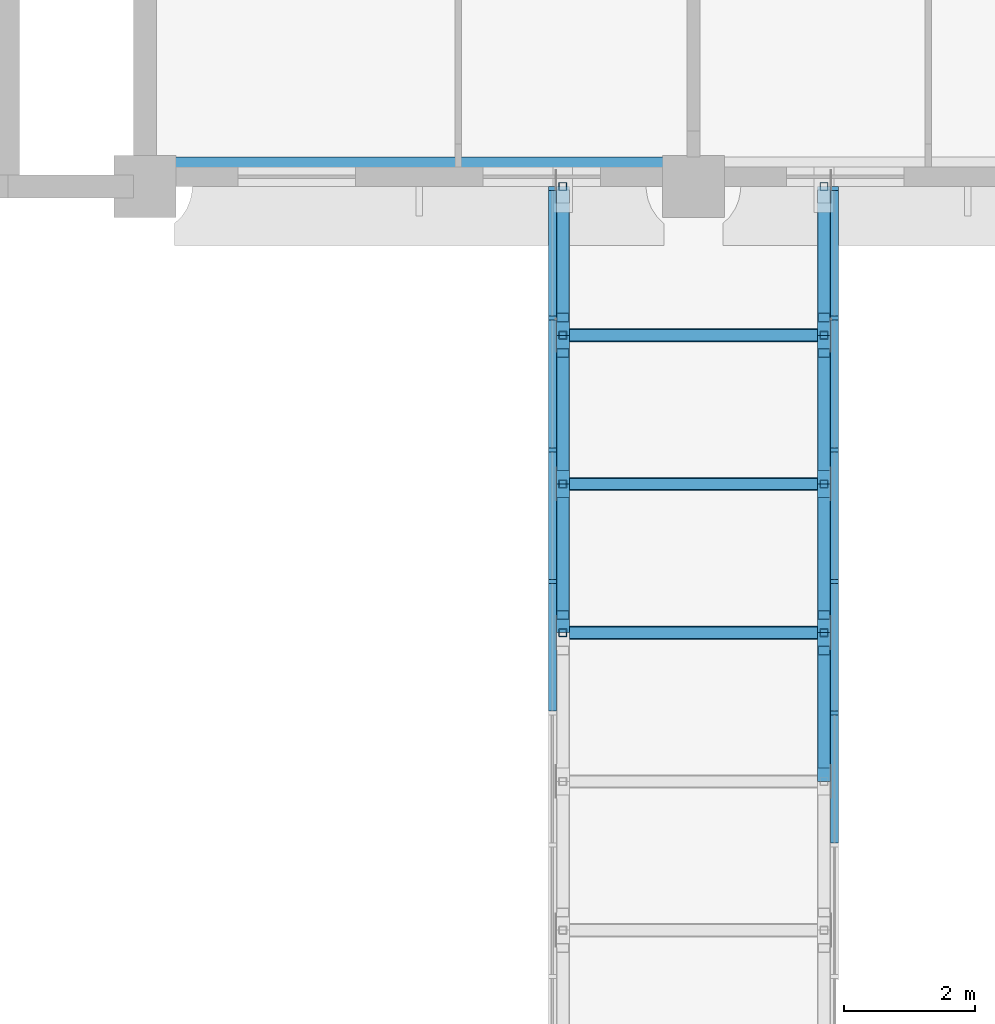
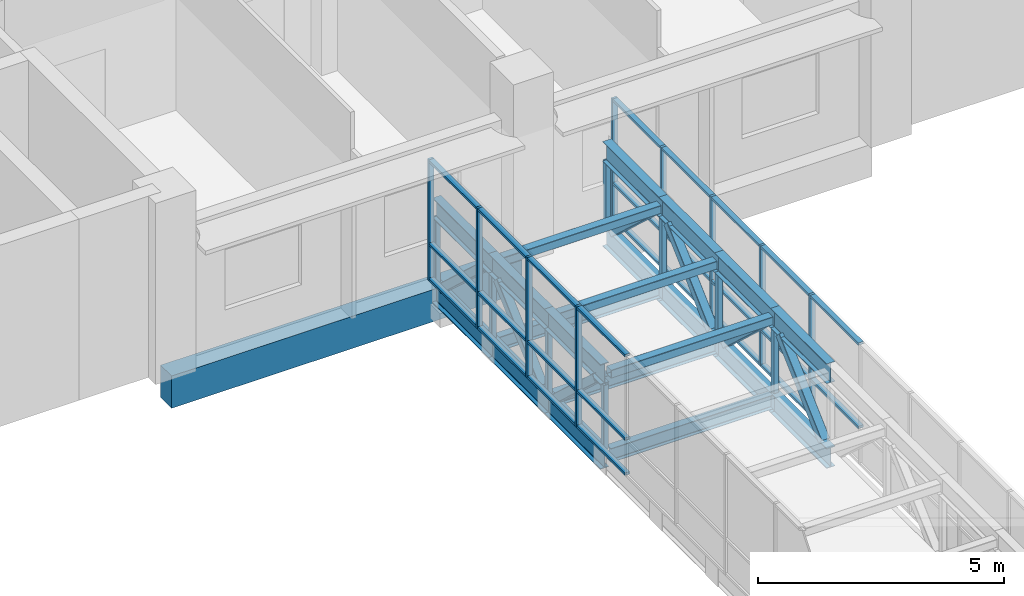
# One storey, part 26 of 136: 70 members, 1 beam, 2 elements without a shape of their own.
"""IFC4 building model written with IfcOpenShell, lengths in metres."""

from ifc_helpers import new_model, si_unit, direction, frame, origin, origin_2d, place, context, subcontext, project, spatial, rectangle, hollow_rectangle, i_section, extrude, material, material_profile, profile_set, type_object, element, aggregate, save


model = new_model("IFC4")

# Units and contexts
model_context = context("Model", 3, precision=1e-05, world=origin(), true_north=direction((0.0, 1.0)))
body_context = subcontext(model_context, "Body", "Model", "MODEL_VIEW")
ifc_project = project(units=[si_unit("LENGTHUNIT", "METRE"), si_unit("AREAUNIT", "SQUARE_METRE"), si_unit("VOLUMEUNIT", "CUBIC_METRE"), si_unit("PLANEANGLEUNIT", "RADIAN"), si_unit("MASSUNIT", "GRAM", prefix="KILO")], contexts=[model_context])

# Site, building, storey
site_placement = place(None, origin())
site = spatial("IfcSite", under=ifc_project, at=site_placement, CompositionType="ELEMENT")
building_placement = place(site_placement, origin())
building = spatial("IfcBuilding", under=site, at=building_placement, Name="Bougainvillea Quay General Hospital", CompositionType="ELEMENT")
storey_placement = place(building_placement, frame((0.0, 0.0, 5.39990234375)))
storey = spatial("IfcBuildingStorey", under=building, at=storey_placement, Name="L01", CompositionType="ELEMENT", Elevation=5.39990234375)

# Curtain wall, members
ifc_material_1 = material(Name="Aluminium curtain wall system, powder-coated glazed", Category="aluminium")
curtain_wall_type = type_object("IfcCurtainWallType", Name="Unitised curtain wall CW-2100", PredefinedType="NOTDEFINED", material=ifc_material_1)
curtain_wall_1_placement = place(storey_placement, origin())
curtain_wall_1 = element("IfcCurtainWall", 1, at=curtain_wall_1_placement, inside=storey, type_object=curtain_wall_type, Name="BG-L L", PredefinedType="NOTDEFINED")
ifc_material_2 = material(Name="Aluminium mullion, powder-coated charcoal", Category="aluminium")
ifc_material_profile_1 = material_profile(ifc_material_2, rectangle(XDim=0.1201171875, YDim=0.06005859375, at=origin_2d()))
ifc_profile_set_1 = profile_set([ifc_material_profile_1], Name="Aluminium mullion, powder-coated charcoal")
member_type_1 = type_object("IfcMemberType", Name="Curtain wall mullion 120x60", PredefinedType="MULLION", material=ifc_profile_set_1)
member_1_placement = place(storey_placement, frame((107.0400390625, 111.551025390625, 0.0), z_axis=(0.0, 0.0, 1.0), x_axis=(-1.0, 0.0, 0.0)))
member_1 = element("IfcMember", 2, at=member_1_placement, type_object=member_type_1, Name="BG-L mullion 9", PredefinedType="MULLION", context=body_context, shape_type="SweptSolid", body=[
    extrude(rectangle(XDim=0.1201171875, YDim=0.06005859375, at=origin_2d()), origin(), (0.0, 0.0, 1.0), 3.0),
])
member_2_placement = place(storey_placement, frame((107.0400390625, 113.5673828125, 0.0), z_axis=(0.0, 0.0, 1.0), x_axis=(-1.0, 0.0, 0.0)))
member_2 = element("IfcMember", 3, at=member_2_placement, type_object=member_type_1, Name="BG-L mullion 10", PredefinedType="MULLION", context=body_context, shape_type="SweptSolid", body=[
    extrude(rectangle(XDim=0.1201171875, YDim=0.06005859375, at=origin_2d()), origin(), (0.0, 0.0, 1.0), 3.0),
])
member_3_placement = place(storey_placement, frame((107.0400390625, 115.583740234375, 0.0), z_axis=(0.0, 0.0, 1.0), x_axis=(-1.0, 0.0, 0.0)))
member_3 = element("IfcMember", 4, at=member_3_placement, type_object=member_type_1, Name="BG-L mullion 11", PredefinedType="MULLION", context=body_context, shape_type="SweptSolid", body=[
    extrude(rectangle(XDim=0.1201171875, YDim=0.06005859375, at=origin_2d()), origin(), (0.0, 0.0, 1.0), 3.0),
])
member_4_placement = place(storey_placement, frame((107.0400390625, 117.570068359375, 0.0), z_axis=(0.0, 0.0, 1.0), x_axis=(-1.0, 0.0, 0.0)))
member_4 = element("IfcMember", 5, at=member_4_placement, type_object=member_type_1, Name="BG-L mullion 12", PredefinedType="MULLION", context=body_context, shape_type="SweptSolid", body=[
    extrude(rectangle(XDim=0.1201171875, YDim=0.06005859375, at=origin_2d()), origin(), (0.0, 0.0, 1.0), 3.0),
])

curtain_wall_2_placement = place(storey_placement, origin())
curtain_wall_2 = element("IfcCurtainWall", 6, at=curtain_wall_2_placement, inside=storey, type_object=curtain_wall_type, Name="BG-R R", PredefinedType="NOTDEFINED")
member_5_placement = place(storey_placement, frame((111.360107421875, 117.570068359375, 0.0), z_axis=(0.0, 0.0, 1.0), x_axis=(1.0, 0.0, 0.0)))
member_5 = element("IfcMember", 7, at=member_5_placement, type_object=member_type_1, Name="BG-R mullion 1", PredefinedType="MULLION", context=body_context, shape_type="SweptSolid", body=[
    extrude(rectangle(XDim=0.1201171875, YDim=0.06005859375, at=origin_2d()), origin(), (0.0, 0.0, 1.0), 3.0),
])
member_6_placement = place(storey_placement, frame((111.360107421875, 115.583740234375, 0.0), z_axis=(0.0, 0.0, 1.0), x_axis=(1.0, 0.0, 0.0)))
member_6 = element("IfcMember", 8, at=member_6_placement, type_object=member_type_1, Name="BG-R mullion 2", PredefinedType="MULLION", context=body_context, shape_type="SweptSolid", body=[
    extrude(rectangle(XDim=0.1201171875, YDim=0.06005859375, at=origin_2d()), origin(), (0.0, 0.0, 1.0), 3.0),
])
member_7_placement = place(storey_placement, frame((111.360107421875, 113.5673828125, 0.0), z_axis=(0.0, 0.0, 1.0), x_axis=(1.0, 0.0, 0.0)))
member_7 = element("IfcMember", 9, at=member_7_placement, type_object=member_type_1, Name="BG-R mullion 3", PredefinedType="MULLION", context=body_context, shape_type="SweptSolid", body=[
    extrude(rectangle(XDim=0.1201171875, YDim=0.06005859375, at=origin_2d()), origin(), (0.0, 0.0, 1.0), 3.0),
])
member_8_placement = place(storey_placement, frame((111.360107421875, 111.551025390625, 0.0), z_axis=(0.0, 0.0, 1.0), x_axis=(1.0, 0.0, 0.0)))
member_8 = element("IfcMember", 10, at=member_8_placement, type_object=member_type_1, Name="BG-R mullion 4", PredefinedType="MULLION", context=body_context, shape_type="SweptSolid", body=[
    extrude(rectangle(XDim=0.1201171875, YDim=0.06005859375, at=origin_2d()), origin(), (0.0, 0.0, 1.0), 3.0),
])
member_9_placement = place(storey_placement, frame((111.360107421875, 109.534423828125, 0.0), z_axis=(0.0, 0.0, 1.0), x_axis=(1.0, 0.0, 0.0)))
member_9 = element("IfcMember", 11, at=member_9_placement, type_object=member_type_1, Name="BG-R mullion 5", PredefinedType="MULLION", context=body_context, shape_type="SweptSolid", body=[
    extrude(rectangle(XDim=0.1201171875, YDim=0.06005859375, at=origin_2d()), origin(), (0.0, 0.0, 1.0), 3.0),
])

# Member
ifc_material_3 = material(Name="Aluminium transom, powder-coated charcoal", Category="aluminium")
ifc_material_profile_2 = material_profile(ifc_material_3, rectangle(XDim=0.1201171875, YDim=0.06005859375, at=origin_2d()))
ifc_profile_set_2 = profile_set([ifc_material_profile_2], Name="Aluminium transom, powder-coated charcoal")
member_type_2 = type_object("IfcMemberType", Name="Curtain wall transom 120x60", PredefinedType="USERDEFINED", material=ifc_profile_set_2)
member_10_placement = place(storey_placement, frame((107.0400390625, 109.564453125, 0.030029296875), z_axis=(0.0, 1.0, 0.0), x_axis=(-1.0, 0.0, 0.0)))
member_10 = element("IfcMember", 12, at=member_10_placement, type_object=member_type_2, Name="BG-L transom 8.1", ObjectType="TRANSOM", PredefinedType="USERDEFINED", context=body_context, shape_type="SweptSolid", body=[
    extrude(rectangle(XDim=0.1201171875, YDim=0.06005859375, at=origin_2d()), origin(), (0.0, 0.0, 1.0), 1.95654296875),
])

member_11_placement = place(storey_placement, frame((107.0400390625, 109.564453125, 0.900146484375), z_axis=(0.0, 1.0, 0.0), x_axis=(-1.0, 0.0, 0.0)))
member_11 = element("IfcMember", 13, at=member_11_placement, type_object=member_type_2, Name="BG-L transom 8.2", ObjectType="TRANSOM", PredefinedType="USERDEFINED", context=body_context, shape_type="SweptSolid", body=[
    extrude(rectangle(XDim=0.1201171875, YDim=0.06005859375, at=origin_2d()), origin(), (0.0, 0.0, 1.0), 1.95654296875),
])

member_12_placement = place(storey_placement, frame((107.0400390625, 109.564453125, 2.97021484375), z_axis=(0.0, 1.0, 0.0), x_axis=(-1.0, 0.0, 0.0)))
member_12 = element("IfcMember", 14, at=member_12_placement, type_object=member_type_2, Name="BG-L transom 8.3", ObjectType="TRANSOM", PredefinedType="USERDEFINED", context=body_context, shape_type="SweptSolid", body=[
    extrude(rectangle(XDim=0.1201171875, YDim=0.06005859375, at=origin_2d()), origin(), (0.0, 0.0, 1.0), 1.95654296875),
])

member_13_placement = place(storey_placement, frame((107.0400390625, 111.580810546875, 0.030029296875), z_axis=(0.0, 1.0, 0.0), x_axis=(-1.0, 0.0, 0.0)))
member_13 = element("IfcMember", 15, at=member_13_placement, type_object=member_type_2, Name="BG-L transom 9.1", ObjectType="TRANSOM", PredefinedType="USERDEFINED", context=body_context, shape_type="SweptSolid", body=[
    extrude(rectangle(XDim=0.1201171875, YDim=0.06005859375, at=origin_2d()), origin(), (0.0, 0.0, 1.0), 1.95654296875),
])

member_14_placement = place(storey_placement, frame((107.0400390625, 111.580810546875, 0.900146484375), z_axis=(0.0, 1.0, 0.0), x_axis=(-1.0, 0.0, 0.0)))
member_14 = element("IfcMember", 16, at=member_14_placement, type_object=member_type_2, Name="BG-L transom 9.2", ObjectType="TRANSOM", PredefinedType="USERDEFINED", context=body_context, shape_type="SweptSolid", body=[
    extrude(rectangle(XDim=0.1201171875, YDim=0.06005859375, at=origin_2d()), origin(), (0.0, 0.0, 1.0), 1.95654296875),
])

member_15_placement = place(storey_placement, frame((107.0400390625, 111.580810546875, 2.97021484375), z_axis=(0.0, 1.0, 0.0), x_axis=(-1.0, 0.0, 0.0)))
member_15 = element("IfcMember", 17, at=member_15_placement, type_object=member_type_2, Name="BG-L transom 9.3", ObjectType="TRANSOM", PredefinedType="USERDEFINED", context=body_context, shape_type="SweptSolid", body=[
    extrude(rectangle(XDim=0.1201171875, YDim=0.06005859375, at=origin_2d()), origin(), (0.0, 0.0, 1.0), 1.95654296875),
])

member_16_placement = place(storey_placement, frame((107.0400390625, 113.59716796875, 0.030029296875), z_axis=(0.0, 1.0, 0.0), x_axis=(-1.0, 0.0, 0.0)))
member_16 = element("IfcMember", 18, at=member_16_placement, type_object=member_type_2, Name="BG-L transom 10.1", ObjectType="TRANSOM", PredefinedType="USERDEFINED", context=body_context, shape_type="SweptSolid", body=[
    extrude(rectangle(XDim=0.1201171875, YDim=0.06005859375, at=origin_2d()), origin(), (0.0, 0.0, 1.0), 1.95654296875),
])

member_17_placement = place(storey_placement, frame((107.0400390625, 113.59716796875, 0.900146484375), z_axis=(0.0, 1.0, 0.0), x_axis=(-1.0, 0.0, 0.0)))
member_17 = element("IfcMember", 19, at=member_17_placement, type_object=member_type_2, Name="BG-L transom 10.2", ObjectType="TRANSOM", PredefinedType="USERDEFINED", context=body_context, shape_type="SweptSolid", body=[
    extrude(rectangle(XDim=0.1201171875, YDim=0.06005859375, at=origin_2d()), origin(), (0.0, 0.0, 1.0), 1.95654296875),
])

member_18_placement = place(storey_placement, frame((107.0400390625, 113.59716796875, 2.97021484375), z_axis=(0.0, 1.0, 0.0), x_axis=(-1.0, 0.0, 0.0)))
member_18 = element("IfcMember", 20, at=member_18_placement, type_object=member_type_2, Name="BG-L transom 10.3", ObjectType="TRANSOM", PredefinedType="USERDEFINED", context=body_context, shape_type="SweptSolid", body=[
    extrude(rectangle(XDim=0.1201171875, YDim=0.06005859375, at=origin_2d()), origin(), (0.0, 0.0, 1.0), 1.95654296875),
])

member_19_placement = place(storey_placement, frame((107.0400390625, 115.613525390625, 0.030029296875), z_axis=(0.0, 1.0, 0.0), x_axis=(-1.0, 0.0, 0.0)))
member_19 = element("IfcMember", 21, at=member_19_placement, type_object=member_type_2, Name="BG-L transom 11.1", ObjectType="TRANSOM", PredefinedType="USERDEFINED", context=body_context, shape_type="SweptSolid", body=[
    extrude(rectangle(XDim=0.1201171875, YDim=0.06005859375, at=origin_2d()), origin(), (0.0, 0.0, 1.0), 1.926513671875),
])

member_20_placement = place(storey_placement, frame((107.0400390625, 115.613525390625, 0.900146484375), z_axis=(0.0, 1.0, 0.0), x_axis=(-1.0, 0.0, 0.0)))
member_20 = element("IfcMember", 22, at=member_20_placement, type_object=member_type_2, Name="BG-L transom 11.2", ObjectType="TRANSOM", PredefinedType="USERDEFINED", context=body_context, shape_type="SweptSolid", body=[
    extrude(rectangle(XDim=0.1201171875, YDim=0.06005859375, at=origin_2d()), origin(), (0.0, 0.0, 1.0), 1.926513671875),
])

member_21_placement = place(storey_placement, frame((107.0400390625, 115.613525390625, 2.97021484375), z_axis=(0.0, 1.0, 0.0), x_axis=(-1.0, 0.0, 0.0)))
member_21 = element("IfcMember", 23, at=member_21_placement, type_object=member_type_2, Name="BG-L transom 11.3", ObjectType="TRANSOM", PredefinedType="USERDEFINED", context=body_context, shape_type="SweptSolid", body=[
    extrude(rectangle(XDim=0.1201171875, YDim=0.06005859375, at=origin_2d()), origin(), (0.0, 0.0, 1.0), 1.926513671875),
])

aggregate(curtain_wall_1, [member_1, member_2, member_3, member_4, member_10, member_11, member_12, member_13, member_14, member_15, member_16, member_17, member_18, member_19, member_20, member_21])

member_22_placement = place(storey_placement, frame((111.360107421875, 117.5400390625, 0.030029296875), z_axis=(0.0, -1.0, 0.0), x_axis=(1.0, 0.0, 0.0)))
member_22 = element("IfcMember", 24, at=member_22_placement, type_object=member_type_2, Name="BG-R transom 1.1", ObjectType="TRANSOM", PredefinedType="USERDEFINED", context=body_context, shape_type="SweptSolid", body=[
    extrude(rectangle(XDim=0.1201171875, YDim=0.06005859375, at=origin_2d()), origin(), (0.0, 0.0, 1.0), 1.926513671875),
])

member_23_placement = place(storey_placement, frame((111.360107421875, 117.5400390625, 0.900146484375), z_axis=(0.0, -1.0, 0.0), x_axis=(1.0, 0.0, 0.0)))
member_23 = element("IfcMember", 25, at=member_23_placement, type_object=member_type_2, Name="BG-R transom 1.2", ObjectType="TRANSOM", PredefinedType="USERDEFINED", context=body_context, shape_type="SweptSolid", body=[
    extrude(rectangle(XDim=0.1201171875, YDim=0.06005859375, at=origin_2d()), origin(), (0.0, 0.0, 1.0), 1.926513671875),
])

member_24_placement = place(storey_placement, frame((111.360107421875, 117.5400390625, 2.97021484375), z_axis=(0.0, -1.0, 0.0), x_axis=(1.0, 0.0, 0.0)))
member_24 = element("IfcMember", 26, at=member_24_placement, type_object=member_type_2, Name="BG-R transom 1.3", ObjectType="TRANSOM", PredefinedType="USERDEFINED", context=body_context, shape_type="SweptSolid", body=[
    extrude(rectangle(XDim=0.1201171875, YDim=0.06005859375, at=origin_2d()), origin(), (0.0, 0.0, 1.0), 1.926513671875),
])

member_25_placement = place(storey_placement, frame((111.360107421875, 115.5537109375, 0.030029296875), z_axis=(0.0, -1.0, 0.0), x_axis=(1.0, 0.0, 0.0)))
member_25 = element("IfcMember", 27, at=member_25_placement, type_object=member_type_2, Name="BG-R transom 2.1", ObjectType="TRANSOM", PredefinedType="USERDEFINED", context=body_context, shape_type="SweptSolid", body=[
    extrude(rectangle(XDim=0.1201171875, YDim=0.06005859375, at=origin_2d()), origin(), (0.0, 0.0, 1.0), 1.95654296875),
])

member_26_placement = place(storey_placement, frame((111.360107421875, 115.5537109375, 0.900146484375), z_axis=(0.0, -1.0, 0.0), x_axis=(1.0, 0.0, 0.0)))
member_26 = element("IfcMember", 28, at=member_26_placement, type_object=member_type_2, Name="BG-R transom 2.2", ObjectType="TRANSOM", PredefinedType="USERDEFINED", context=body_context, shape_type="SweptSolid", body=[
    extrude(rectangle(XDim=0.1201171875, YDim=0.06005859375, at=origin_2d()), origin(), (0.0, 0.0, 1.0), 1.95654296875),
])

member_27_placement = place(storey_placement, frame((111.360107421875, 115.5537109375, 2.97021484375), z_axis=(0.0, -1.0, 0.0), x_axis=(1.0, 0.0, 0.0)))
member_27 = element("IfcMember", 29, at=member_27_placement, type_object=member_type_2, Name="BG-R transom 2.3", ObjectType="TRANSOM", PredefinedType="USERDEFINED", context=body_context, shape_type="SweptSolid", body=[
    extrude(rectangle(XDim=0.1201171875, YDim=0.06005859375, at=origin_2d()), origin(), (0.0, 0.0, 1.0), 1.95654296875),
])

member_28_placement = place(storey_placement, frame((111.360107421875, 113.537353515625, 0.030029296875), z_axis=(0.0, -1.0, 0.0), x_axis=(1.0, 0.0, 0.0)))
member_28 = element("IfcMember", 30, at=member_28_placement, type_object=member_type_2, Name="BG-R transom 3.1", ObjectType="TRANSOM", PredefinedType="USERDEFINED", context=body_context, shape_type="SweptSolid", body=[
    extrude(rectangle(XDim=0.1201171875, YDim=0.06005859375, at=origin_2d()), origin(), (0.0, 0.0, 1.0), 1.95654296875),
])

member_29_placement = place(storey_placement, frame((111.360107421875, 113.537353515625, 0.900146484375), z_axis=(0.0, -1.0, 0.0), x_axis=(1.0, 0.0, 0.0)))
member_29 = element("IfcMember", 31, at=member_29_placement, type_object=member_type_2, Name="BG-R transom 3.2", ObjectType="TRANSOM", PredefinedType="USERDEFINED", context=body_context, shape_type="SweptSolid", body=[
    extrude(rectangle(XDim=0.1201171875, YDim=0.06005859375, at=origin_2d()), origin(), (0.0, 0.0, 1.0), 1.95654296875),
])

member_30_placement = place(storey_placement, frame((111.360107421875, 113.537353515625, 2.97021484375), z_axis=(0.0, -1.0, 0.0), x_axis=(1.0, 0.0, 0.0)))
member_30 = element("IfcMember", 32, at=member_30_placement, type_object=member_type_2, Name="BG-R transom 3.3", ObjectType="TRANSOM", PredefinedType="USERDEFINED", context=body_context, shape_type="SweptSolid", body=[
    extrude(rectangle(XDim=0.1201171875, YDim=0.06005859375, at=origin_2d()), origin(), (0.0, 0.0, 1.0), 1.95654296875),
])

member_31_placement = place(storey_placement, frame((111.360107421875, 111.52099609375, 0.030029296875), z_axis=(0.0, -1.0, 0.0), x_axis=(1.0, 0.0, 0.0)))
member_31 = element("IfcMember", 33, at=member_31_placement, type_object=member_type_2, Name="BG-R transom 4.1", ObjectType="TRANSOM", PredefinedType="USERDEFINED", context=body_context, shape_type="SweptSolid", body=[
    extrude(rectangle(XDim=0.1201171875, YDim=0.06005859375, at=origin_2d()), origin(), (0.0, 0.0, 1.0), 1.95654296875),
])

member_32_placement = place(storey_placement, frame((111.360107421875, 111.52099609375, 0.900146484375), z_axis=(0.0, -1.0, 0.0), x_axis=(1.0, 0.0, 0.0)))
member_32 = element("IfcMember", 34, at=member_32_placement, type_object=member_type_2, Name="BG-R transom 4.2", ObjectType="TRANSOM", PredefinedType="USERDEFINED", context=body_context, shape_type="SweptSolid", body=[
    extrude(rectangle(XDim=0.1201171875, YDim=0.06005859375, at=origin_2d()), origin(), (0.0, 0.0, 1.0), 1.95654296875),
])

member_33_placement = place(storey_placement, frame((111.360107421875, 111.52099609375, 2.97021484375), z_axis=(0.0, -1.0, 0.0), x_axis=(1.0, 0.0, 0.0)))
member_33 = element("IfcMember", 35, at=member_33_placement, type_object=member_type_2, Name="BG-R transom 4.3", ObjectType="TRANSOM", PredefinedType="USERDEFINED", context=body_context, shape_type="SweptSolid", body=[
    extrude(rectangle(XDim=0.1201171875, YDim=0.06005859375, at=origin_2d()), origin(), (0.0, 0.0, 1.0), 1.95654296875),
])

member_34_placement = place(storey_placement, frame((111.360107421875, 109.504638671875, 0.900146484375), z_axis=(0.0, -1.0, 0.0), x_axis=(1.0, 0.0, 0.0)))
member_34 = element("IfcMember", 36, at=member_34_placement, type_object=member_type_2, Name="BG-R transom 5.2", ObjectType="TRANSOM", PredefinedType="USERDEFINED", context=body_context, shape_type="SweptSolid", body=[
    extrude(rectangle(XDim=0.1201171875, YDim=0.06005859375, at=origin_2d()), origin(), (0.0, 0.0, 1.0), 1.95654296875),
])

member_35_placement = place(storey_placement, frame((111.360107421875, 109.504638671875, 2.97021484375), z_axis=(0.0, -1.0, 0.0), x_axis=(1.0, 0.0, 0.0)))
member_35 = element("IfcMember", 37, at=member_35_placement, type_object=member_type_2, Name="BG-R transom 5.3", ObjectType="TRANSOM", PredefinedType="USERDEFINED", context=body_context, shape_type="SweptSolid", body=[
    extrude(rectangle(XDim=0.1201171875, YDim=0.06005859375, at=origin_2d()), origin(), (0.0, 0.0, 1.0), 1.95654296875),
])

aggregate(curtain_wall_2, [member_5, member_6, member_7, member_8, member_9, member_22, member_23, member_24, member_25, member_26, member_27, member_28, member_29, member_30, member_31, member_32, member_33, member_34, member_35])

# Members
ifc_material_4 = material(Name="Steel Q355", Category="steel")
ifc_material_profile_3 = material_profile(ifc_material_4, i_section(OverallWidth=0.175048828125, OverallDepth=0.35009765625, WebThickness=0.007080078125, FlangeThickness=0.010986328125, FilletRadius=0.012939453125, at=origin_2d()))
ifc_profile_set_3 = profile_set([ifc_material_profile_3], Name="Steel Q355")
member_type_3 = type_object("IfcMemberType", Name="HN 350x175x7x11 Q355 STRUT", PredefinedType="STRUT", material=ifc_profile_set_3)
for number, where, z_axis, x_axis, name in (
    (38, (107.300048828125, 110.76611328125, -0.294921875), (1.0, 0.0, 0.0), (0.0, 1.0, 0.0), "Bridge floor beam"),
    (39, (107.300048828125, 113.0439453125, -0.294921875), (1.0, 0.0, 0.0), (0.0, 1.0, 0.0), "Bridge floor beam"),
    (40, (107.300048828125, 115.322021484375, -0.294921875), (1.0, 0.0, 0.0), (0.0, 1.0, 0.0), "Bridge floor beam"),
):
    element("IfcMember", number, at=place(storey_placement, frame(where, z_axis=z_axis, x_axis=x_axis)), inside=storey, type_object=member_type_3, Name=name, PredefinedType="STRUT", context=body_context, shape_type="SweptSolid", body=[
        extrude(i_section(OverallWidth=0.175048828125, OverallDepth=0.35009765625, WebThickness=0.007080078125, FlangeThickness=0.010986328125, FilletRadius=0.012939453125, at=origin_2d()), origin(), (0.0, 0.0, 1.0), 3.800048828125),
    ])
ifc_material_profile_4 = material_profile(ifc_material_4, i_section(OverallWidth=0.199951171875, OverallDepth=0.5, WebThickness=0.010009765625, FlangeThickness=0.01611328125, FilletRadius=0.012939453125, at=origin_2d()))
ifc_profile_set_4 = profile_set([ifc_material_profile_4], Name="Steel Q355")
member_type_4 = type_object("IfcMemberType", Name="HN 500x200x10x16 Q355 CHORD", PredefinedType="CHORD", material=ifc_profile_set_4)
for number, where, z_axis, x_axis, name in (
    (41, (107.199951171875, 110.76611328125, -0.369873046875), (0.0, 1.0, 0.0), (-1.0, 0.0, 0.0), "Bottom chord"),
    (42, (107.199951171875, 110.76611328125, 1.72998046875), (0.0, 1.0, 0.0), (-1.0, 0.0, 0.0), "Top chord"),
):
    element("IfcMember", number, at=place(storey_placement, frame(where, z_axis=z_axis, x_axis=x_axis)), inside=storey, type_object=member_type_4, Name=name, PredefinedType="CHORD", context=body_context, shape_type="SweptSolid", body=[
        extrude(i_section(OverallWidth=0.199951171875, OverallDepth=0.5, WebThickness=0.010009765625, FlangeThickness=0.01611328125, FilletRadius=0.012939453125, at=origin_2d()), origin(), (0.0, 0.0, 1.0), 2.27783203125),
    ])
for number, where, z_axis, x_axis, name in (
    (43, (107.199951171875, 113.0439453125, -0.369873046875), (0.0, 1.0, 0.0), (-1.0, 0.0, 0.0), "Bottom chord"),
    (44, (107.199951171875, 113.0439453125, 1.72998046875), (0.0, 1.0, 0.0), (-1.0, 0.0, 0.0), "Top chord"),
    (45, (107.199951171875, 115.322021484375, -0.369873046875), (0.0, 1.0, 0.0), (-1.0, 0.0, 0.0), "Bottom chord"),
    (46, (107.199951171875, 115.322021484375, 1.72998046875), (0.0, 1.0, 0.0), (-1.0, 0.0, 0.0), "Top chord"),
    (47, (111.199951171875, 108.488037109375, -0.369873046875), (0.0, 1.0, 0.0), (-1.0, 0.0, 0.0), "Bottom chord"),
    (48, (111.199951171875, 108.488037109375, 1.72998046875), (0.0, 1.0, 0.0), (-1.0, 0.0, 0.0), "Top chord"),
):
    element("IfcMember", number, at=place(storey_placement, frame(where, z_axis=z_axis, x_axis=x_axis)), inside=storey, type_object=member_type_4, Name=name, PredefinedType="CHORD", context=body_context, shape_type="SweptSolid", body=[
        extrude(i_section(OverallWidth=0.199951171875, OverallDepth=0.5, WebThickness=0.010009765625, FlangeThickness=0.01611328125, FilletRadius=0.012939453125, at=origin_2d()), origin(), (0.0, 0.0, 1.0), 2.278076171875),
    ])
for number, where, z_axis, x_axis, name in (
    (49, (111.199951171875, 110.76611328125, -0.369873046875), (0.0, 1.0, 0.0), (-1.0, 0.0, 0.0), "Bottom chord"),
    (50, (111.199951171875, 110.76611328125, 1.72998046875), (0.0, 1.0, 0.0), (-1.0, 0.0, 0.0), "Top chord"),
):
    element("IfcMember", number, at=place(storey_placement, frame(where, z_axis=z_axis, x_axis=x_axis)), inside=storey, type_object=member_type_4, Name=name, PredefinedType="CHORD", context=body_context, shape_type="SweptSolid", body=[
        extrude(i_section(OverallWidth=0.199951171875, OverallDepth=0.5, WebThickness=0.010009765625, FlangeThickness=0.01611328125, FilletRadius=0.012939453125, at=origin_2d()), origin(), (0.0, 0.0, 1.0), 2.27783203125),
    ])
for number, where, z_axis, x_axis, name in (
    (51, (111.199951171875, 113.0439453125, -0.369873046875), (0.0, 1.0, 0.0), (-1.0, 0.0, 0.0), "Bottom chord"),
    (52, (111.199951171875, 113.0439453125, 1.72998046875), (0.0, 1.0, 0.0), (-1.0, 0.0, 0.0), "Top chord"),
    (53, (111.199951171875, 115.322021484375, -0.369873046875), (0.0, 1.0, 0.0), (-1.0, 0.0, 0.0), "Bottom chord"),
    (54, (111.199951171875, 115.322021484375, 1.72998046875), (0.0, 1.0, 0.0), (-1.0, 0.0, 0.0), "Top chord"),
):
    element("IfcMember", number, at=place(storey_placement, frame(where, z_axis=z_axis, x_axis=x_axis)), inside=storey, type_object=member_type_4, Name=name, PredefinedType="CHORD", context=body_context, shape_type="SweptSolid", body=[
        extrude(i_section(OverallWidth=0.199951171875, OverallDepth=0.5, WebThickness=0.010009765625, FlangeThickness=0.01611328125, FilletRadius=0.012939453125, at=origin_2d()), origin(), (0.0, 0.0, 1.0), 2.278076171875),
    ])

# Beam
ifc_material_5 = material(Name="Concrete C40", Category="concrete")
ifc_material_profile_5 = material_profile(ifc_material_5, rectangle(XDim=0.449951171875, YDim=0.800048828125, at=origin_2d()))
ifc_profile_set_5 = profile_set([ifc_material_profile_5], Name="Concrete C40")
beam_type = type_object("IfcBeamType", Name="RC BEAM 450x800 C40", PredefinedType="BEAM", material=ifc_profile_set_5)
beam_placement = place(storey_placement, frame((100.97509765625, 117.824951171875, -0.699951171875), z_axis=(1.0, 0.0, 0.0), x_axis=(0.0, 1.0, 0.0)))
element("IfcBeam", 55, at=beam_placement, inside=storey, type_object=beam_type, Name="Edge beam L01", PredefinedType="BEAM", context=body_context, shape_type="SweptSolid", body=[
    extrude(rectangle(XDim=0.449951171875, YDim=0.800048828125, at=origin_2d()), origin(), (0.0, 0.0, 1.0), 8.224853515625),
])

# Members
ifc_material_profile_6 = material_profile(ifc_material_4, hollow_rectangle(XDim=0.1201171875, YDim=0.1201171875, WallThickness=0.0048828125, InnerFilletRadius=0.0048828125, OuterFilletRadius=0.010009765625, at=origin_2d()))
ifc_profile_set_6 = profile_set([ifc_material_profile_6], Name="Steel Q355")
member_type_5 = type_object("IfcMemberType", Name="SHS 120x120x5 Q355 POST", PredefinedType="POST", material=ifc_profile_set_6)
for number, where, z_axis, x_axis, name in (
    (56, (107.199951171875, 110.76611328125, -0.119873046875), (0.0, 0.0, 1.0), (1.0, 0.0, 0.0), "Truss post"),
    (57, (107.199951171875, 113.0439453125, -0.119873046875), (0.0, 0.0, 1.0), (1.0, 0.0, 0.0), "Truss post"),
    (58, (107.199951171875, 115.322021484375, -0.119873046875), (0.0, 0.0, 1.0), (1.0, 0.0, 0.0), "Truss post"),
    (59, (107.199951171875, 117.60009765625, -0.119873046875), (0.0, 0.0, 1.0), (1.0, 0.0, 0.0), "Truss post"),
    (60, (111.199951171875, 110.76611328125, -0.119873046875), (0.0, 0.0, 1.0), (1.0, 0.0, 0.0), "Truss post"),
    (61, (111.199951171875, 113.0439453125, -0.119873046875), (0.0, 0.0, 1.0), (1.0, 0.0, 0.0), "Truss post"),
    (62, (111.199951171875, 115.322021484375, -0.119873046875), (0.0, 0.0, 1.0), (1.0, 0.0, 0.0), "Truss post"),
    (63, (111.199951171875, 117.60009765625, -0.119873046875), (0.0, 0.0, 1.0), (1.0, 0.0, 0.0), "Truss post"),
):
    element("IfcMember", number, at=place(storey_placement, frame(where, z_axis=z_axis, x_axis=x_axis)), inside=storey, type_object=member_type_5, Name=name, PredefinedType="POST", context=body_context, shape_type="SweptSolid", body=[
        extrude(hollow_rectangle(XDim=0.1201171875, YDim=0.1201171875, WallThickness=0.0048828125, InnerFilletRadius=0.0048828125, OuterFilletRadius=0.010009765625, at=origin_2d()), origin(), (0.0, 0.0, 1.0), 1.599853515625),
    ])
ifc_material_profile_7 = material_profile(ifc_material_4, hollow_rectangle(XDim=0.199951171875, YDim=0.199951171875, WallThickness=0.008056640625, InnerFilletRadius=0.008056640625, OuterFilletRadius=0.01611328125, at=origin_2d()))
ifc_profile_set_7 = profile_set([ifc_material_profile_7], Name="Steel Q355")
member_type_6 = type_object("IfcMemberType", Name="SHS 200x200x8 Q355 BRACE", PredefinedType="BRACE", material=ifc_profile_set_7)
for number, where, z_axis, x_axis, name in (
    (64, (107.199951171875, 112.772705078125, -0.119873046875), (0.0, -0.73527513993, 0.677768742715), (1.0, 0.0, 0.0), "Truss diagonal"),
    (65, (107.199951171875, 113.315185546875, -0.119873046875), (0.0, 0.73527513993, 0.677768742715), (-1.0, 0.0, 0.0), "Truss diagonal"),
    (66, (107.199951171875, 117.328857421875, -0.119873046875), (0.0, -0.73527513993, 0.677768742715), (1.0, 0.0, 0.0), "Truss diagonal"),
    (67, (111.199951171875, 108.75927734375, -0.119873046875), (0.0, 0.73527513993, 0.677768742715), (-1.0, 0.0, 0.0), "Truss diagonal"),
    (68, (111.199951171875, 112.772705078125, -0.119873046875), (0.0, -0.73527513993, 0.677768742715), (1.0, 0.0, 0.0), "Truss diagonal"),
    (69, (111.199951171875, 113.315185546875, -0.119873046875), (0.0, 0.73527513993, 0.677768742715), (-1.0, 0.0, 0.0), "Truss diagonal"),
    (70, (111.199951171875, 117.328857421875, -0.119873046875), (0.0, -0.73527513993, 0.677768742715), (1.0, 0.0, 0.0), "Truss diagonal"),
):
    element("IfcMember", number, at=place(storey_placement, frame(where, z_axis=z_axis, x_axis=x_axis)), inside=storey, type_object=member_type_6, Name=name, PredefinedType="BRACE", context=body_context, shape_type="SweptSolid", body=[
        extrude(hollow_rectangle(XDim=0.199951171875, YDim=0.199951171875, WallThickness=0.008056640625, InnerFilletRadius=0.008056640625, OuterFilletRadius=0.01611328125, at=origin_2d()), origin(), (0.0, 0.0, 1.0), 2.3603515625),
    ])
ifc_material_profile_8 = material_profile(ifc_material_4, hollow_rectangle(XDim=0.199951171875, YDim=0.199951171875, WallThickness=0.008056640625, InnerFilletRadius=0.008056640625, OuterFilletRadius=0.01611328125, at=origin_2d()))
ifc_profile_set_8 = profile_set([ifc_material_profile_8], Name="Steel Q355")
member_type_7 = type_object("IfcMemberType", Name="SHS 200x200x8 Q355 STRUT", PredefinedType="STRUT", material=ifc_profile_set_8)
for number, where, z_axis, x_axis, name in (
    (71, (107.300048828125, 110.76611328125, 1.72998046875), (1.0, 0.0, 0.0), (0.0, 1.0, 0.0), "Top strut"),
    (72, (107.300048828125, 113.0439453125, 1.72998046875), (1.0, 0.0, 0.0), (0.0, 1.0, 0.0), "Top strut"),
    (73, (107.300048828125, 115.322021484375, 1.72998046875), (1.0, 0.0, 0.0), (0.0, 1.0, 0.0), "Top strut"),
):
    element("IfcMember", number, at=place(storey_placement, frame(where, z_axis=z_axis, x_axis=x_axis)), inside=storey, type_object=member_type_7, Name=name, PredefinedType="STRUT", context=body_context, shape_type="SweptSolid", body=[
        extrude(hollow_rectangle(XDim=0.199951171875, YDim=0.199951171875, WallThickness=0.008056640625, InnerFilletRadius=0.008056640625, OuterFilletRadius=0.01611328125, at=origin_2d()), origin(), (0.0, 0.0, 1.0), 3.800048828125),
    ])

save(model, "model.ifc")
